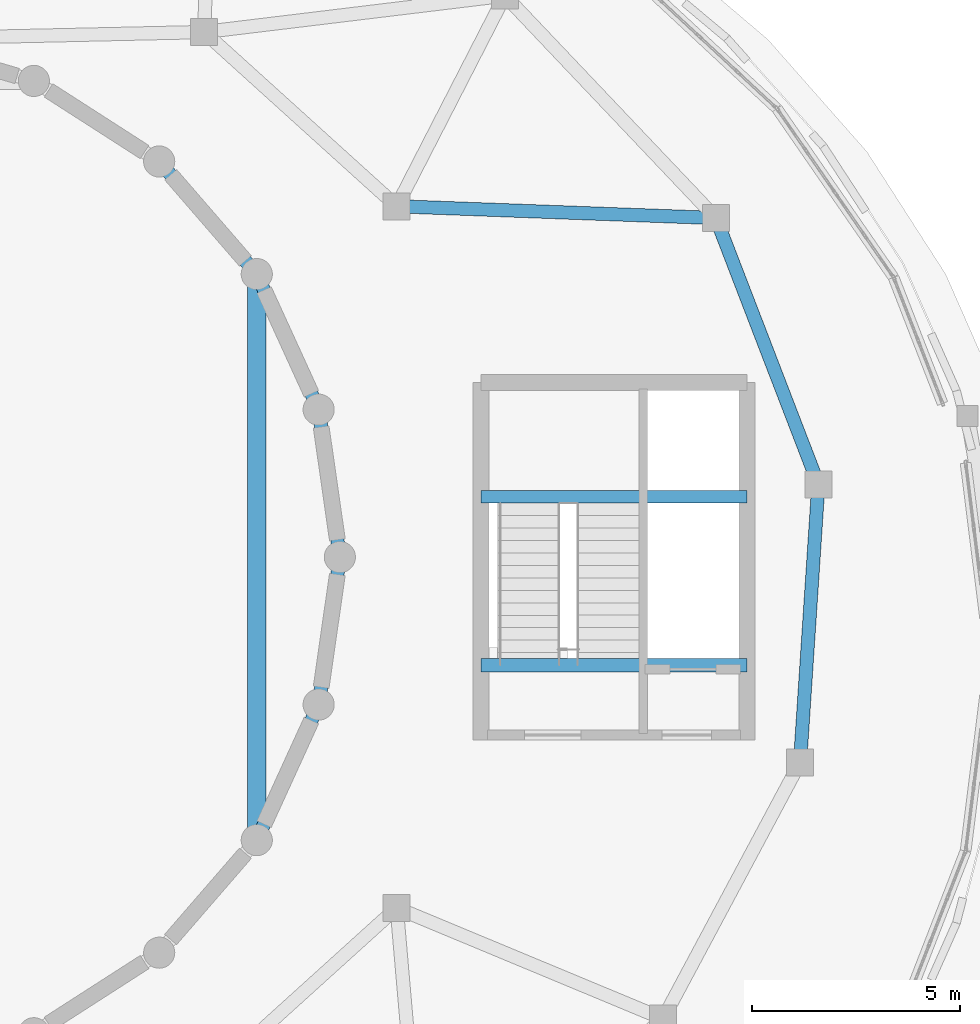
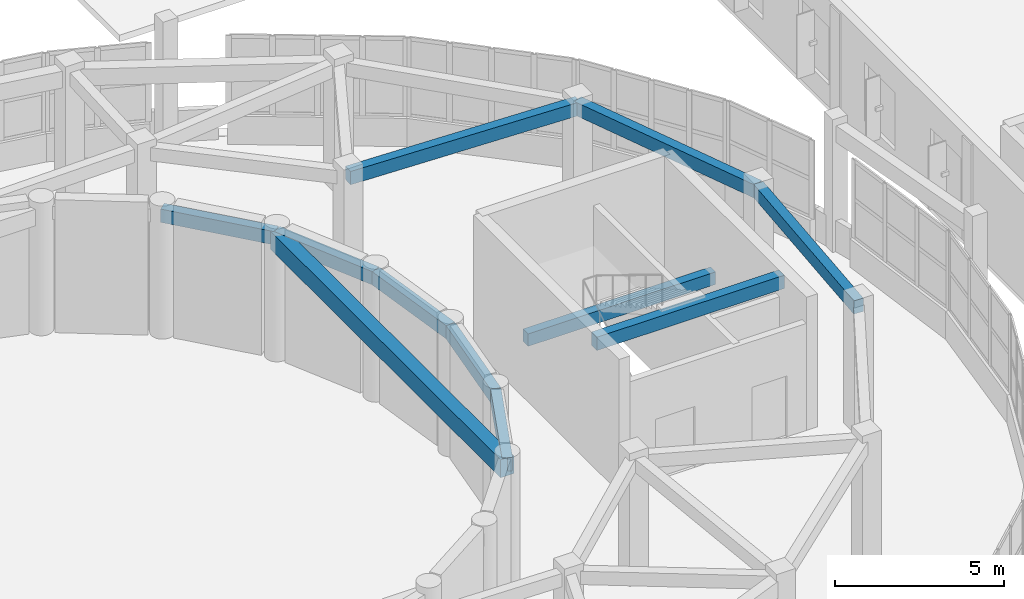
# One storey, part 55 of 105: 11 beams.
"""IFC4 building model written with IfcOpenShell, lengths in metres."""

from ifc_helpers import new_model, si_unit, direction, frame, origin, origin_2d, place, context, subcontext, project, spatial, rectangle, extrude, material, material_profile, profile_set, type_object, element, save


model = new_model("IFC4")

# Units and contexts
model_context = context("Model", 3, precision=1e-05, world=origin(), true_north=direction((0.0, 1.0)))
body_context = subcontext(model_context, "Body", "Model", "MODEL_VIEW")
ifc_project = project(units=[si_unit("LENGTHUNIT", "METRE"), si_unit("AREAUNIT", "SQUARE_METRE"), si_unit("VOLUMEUNIT", "CUBIC_METRE"), si_unit("PLANEANGLEUNIT", "RADIAN"), si_unit("MASSUNIT", "GRAM", prefix="KILO")], contexts=[model_context])

# Site, building, storey
site_placement = place(None, origin())
site = spatial("IfcSite", under=ifc_project, at=site_placement, CompositionType="ELEMENT")
building_placement = place(site_placement, origin())
building = spatial("IfcBuilding", under=site, at=building_placement, Name="Pelvatis Terrace Science Centre", CompositionType="ELEMENT")
storey_placement = place(building_placement, frame((0.0, 0.0, 10.199951171875)))
storey = spatial("IfcBuildingStorey", under=building, at=storey_placement, Name="L02", CompositionType="ELEMENT", Elevation=10.199951171875)

# Beams
ifc_material_1 = material(Name="Concrete C35/45", Category="concrete")
ifc_material_profile_1 = material_profile(ifc_material_1, rectangle(XDim=0.300048828125, YDim=0.449951171875, at=origin_2d()), Name="RC-BM 300x450")
ifc_profile_set_1 = profile_set([ifc_material_profile_1], Name="Concrete C35/45")
beam_type_1 = type_object("IfcBeamType", Name="BM-RC-300x450", PredefinedType="BEAM", material=ifc_profile_set_1)
beam_1_placement = place(storey_placement, frame((125.199951171875, 87.25, 1.97509765625), z_axis=(1.0, 0.0, 0.0), x_axis=(0.0, 1.0, 0.0)))
element("IfcBeam", 1, at=beam_1_placement, inside=storey, type_object=beam_type_1, Name="Core C2 half-landing beam (L02)", PredefinedType="BEAM", context=body_context, shape_type="SweptSolid", body=[
    extrude(rectangle(XDim=0.300048828125, YDim=0.449951171875, at=origin_2d()), origin(), (0.0, 0.0, 1.0), 6.400146484375),
])
ifc_material_2 = material(Name="Concrete C35/45", Category="concrete")
ifc_material_profile_2 = material_profile(ifc_material_2, rectangle(XDim=0.320068359375, YDim=0.47998046875, at=origin_2d()), Name="RC-BM 320x480")
ifc_profile_set_2 = profile_set([ifc_material_profile_2], Name="Concrete C35/45")
beam_type_2 = type_object("IfcBeamType", Name="BM-RC-320x480", PredefinedType="BEAM", material=ifc_profile_set_2)
beam_2_placement = place(storey_placement, frame((125.199951171875, 83.199951171875, 4.300048828125), z_axis=(1.0, 0.0, 0.0), x_axis=(0.0, 1.0, 0.0)))
element("IfcBeam", 2, at=beam_2_placement, inside=storey, type_object=beam_type_2, Name="Core C2 stair header beam (L02)", PredefinedType="BEAM", context=body_context, shape_type="SweptSolid", body=[
    extrude(rectangle(XDim=0.320068359375, YDim=0.47998046875, at=origin_2d()), origin(), (0.0, 0.0, 1.0), 6.400146484375),
])
for number, where, z_axis, x_axis, name in (
    (3, (121.800048828125, 85.800048828125, 4.300048828125), (-0.142345759139, 0.989816995639, 0.0), (-0.989816995639, -0.142345759139, 0.0), "Beam BM-L02-2845"),
    (4, (121.800048828125, 85.800048828125, 4.300048828125), (-0.142345759139, -0.989816995639, 0.0), (0.989816995639, -0.142345759139, 0.0), "Beam BM-L02-2846"),
):
    element("IfcBeam", number, at=place(storey_placement, frame(where, z_axis=z_axis, x_axis=x_axis)), inside=storey, type_object=beam_type_2, Name=name, PredefinedType="BEAM", context=body_context, shape_type="SweptSolid", body=[
        extrude(rectangle(XDim=0.320068359375, YDim=0.47998046875, at=origin_2d()), origin(), (0.0, 0.0, 1.0), 3.58642578125),
    ])
beam_3_placement = place(storey_placement, frame((121.28955078125, 89.349853515625, 4.300048828125), z_axis=(-0.41540256811, 0.909637678643, 0.0), x_axis=(-0.909637678643, -0.41540256811, 0.0)))
element("IfcBeam", 5, at=beam_3_placement, inside=storey, type_object=beam_type_2, Name="Beam BM-L02-2847", PredefinedType="BEAM", context=body_context, shape_type="SweptSolid", body=[
    extrude(rectangle(XDim=0.320068359375, YDim=0.47998046875, at=origin_2d()), origin(), (0.0, 0.0, 1.0), 3.586181640625),
])
for number, where, z_axis, x_axis, name in (
    (6, (119.7998046875, 92.612060546875, 4.300048828125), (-0.654863153819, 0.755747477515, 0.0), (-0.755747477515, -0.654863153819, 0.0), "Beam BM-L02-2848"),
    (7, (119.7998046875, 78.98779296875, 4.300048828125), (0.415376845768, 0.909649424778, 0.0), (-0.909649424778, 0.415376845768, 0.0), "Beam BM-L02-2875"),
):
    element("IfcBeam", number, at=place(storey_placement, frame(where, z_axis=z_axis, x_axis=x_axis)), inside=storey, type_object=beam_type_2, Name=name, PredefinedType="BEAM", context=body_context, shape_type="SweptSolid", body=[
        extrude(rectangle(XDim=0.320068359375, YDim=0.47998046875, at=origin_2d()), origin(), (0.0, 0.0, 1.0), 3.58642578125),
    ])
beam_4_placement = place(storey_placement, frame((133.31884765625, 87.552001953125, 4.300048828125), z_axis=(-0.359224405227, 0.933251213066, 0.0), x_axis=(-0.933251213066, -0.359224405227, 0.0)))
element("IfcBeam", 8, at=beam_4_placement, inside=storey, type_object=beam_type_2, Name="Beam BM-L02-2893", PredefinedType="BEAM", context=body_context, shape_type="SweptSolid", body=[
    extrude(rectangle(XDim=0.320068359375, YDim=0.47998046875, at=origin_2d()), origin(), (0.0, 0.0, 1.0), 6.868408203125),
])
beam_5_placement = place(storey_placement, frame((133.31884765625, 87.552001953125, 4.300048828125), z_axis=(-0.065837804337, -0.997830338044, 0.0), x_axis=(0.997830338044, -0.065837804337, 0.0)))
element("IfcBeam", 9, at=beam_5_placement, inside=storey, type_object=beam_type_2, Name="Beam BM-L02-2894", PredefinedType="BEAM", context=body_context, shape_type="SweptSolid", body=[
    extrude(rectangle(XDim=0.320068359375, YDim=0.47998046875, at=origin_2d()), origin(), (0.0, 0.0, 1.0), 6.708251953125),
])
beam_6_placement = place(storey_placement, frame((130.8515625, 93.9619140625, 4.300048828125), z_axis=(-0.999323636049, 0.036773229863, 0.0), x_axis=(-0.036773229863, -0.999323636049, 0.0)))
element("IfcBeam", 10, at=beam_6_placement, inside=storey, type_object=beam_type_2, Name="Beam BM-L02-2896", PredefinedType="BEAM", context=body_context, shape_type="SweptSolid", body=[
    extrude(rectangle(XDim=0.320068359375, YDim=0.47998046875, at=origin_2d()), origin(), (0.0, 0.0, 1.0), 7.68798828125),
])
ifc_material_3 = material(Name="Concrete C35/45", Category="concrete")
ifc_material_profile_3 = material_profile(ifc_material_3, rectangle(XDim=0.449951171875, YDim=0.64990234375, at=origin_2d()), Name="RC-BM 450x650")
ifc_profile_set_3 = profile_set([ifc_material_profile_3], Name="Concrete C35/45")
beam_type_3 = type_object("IfcBeamType", Name="BM-RC-450x650", PredefinedType="BEAM", material=ifc_profile_set_3)
beam_7_placement = place(storey_placement, frame((119.7998046875, 92.612060546875, 4.215087890625), z_axis=(0.0, -1.0, 0.0), x_axis=(1.0, 0.0, 0.0)))
element("IfcBeam", 11, at=beam_7_placement, inside=storey, type_object=beam_type_3, Name="Beam BM-L02-2849", PredefinedType="BEAM", context=body_context, shape_type="SweptSolid", body=[
    extrude(rectangle(XDim=0.449951171875, YDim=0.64990234375, at=origin_2d()), origin(), (0.0, 0.0, 1.0), 13.624267578125),
])

save(model, "model.ifc")
